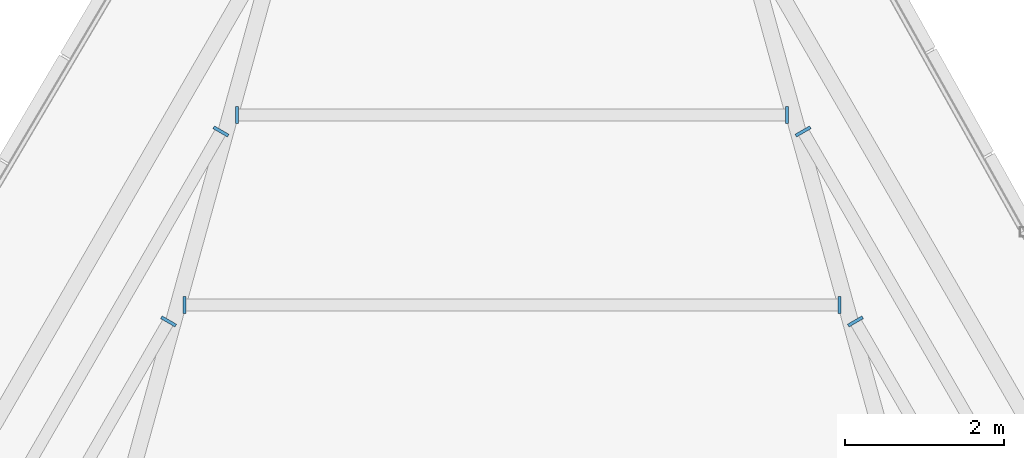
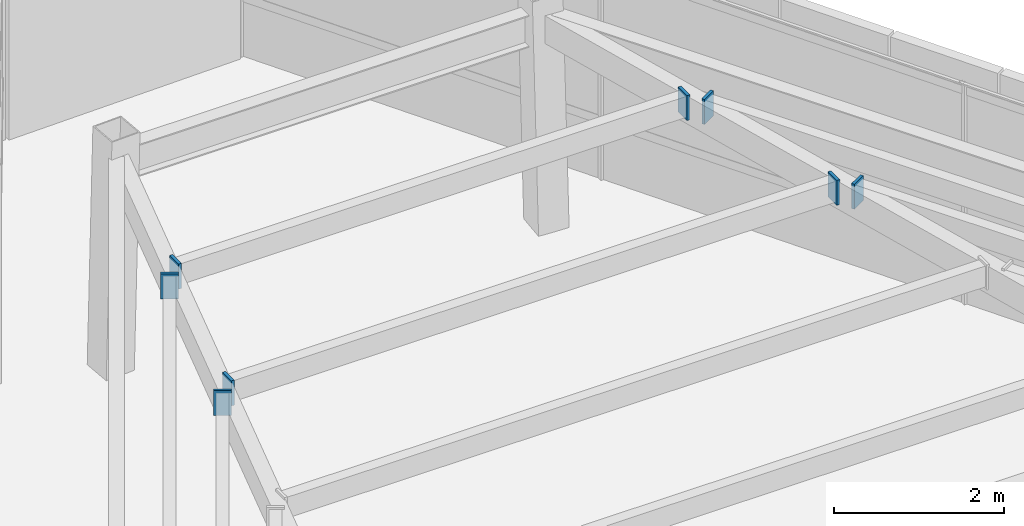
# One storey, part 42 of 47: 8 plates.
"""IFC4 building model written with IfcOpenShell, lengths in metres."""

from ifc_helpers import new_model, si_unit, direction, frame, origin, origin_2d, place, context, subcontext, project, spatial, rectangle, extrude, source, transform, mapped, material, layer, layer_set, type_object, type_shapes, element, save


model = new_model("IFC4")

# Units and contexts
model_context = context("Model", 3, precision=1e-05, world=origin(), true_north=direction((0.0, 1.0)))
body_context = subcontext(model_context, "Body", "Model", "MODEL_VIEW")
ifc_project = project(units=[si_unit("LENGTHUNIT", "METRE"), si_unit("AREAUNIT", "SQUARE_METRE"), si_unit("VOLUMEUNIT", "CUBIC_METRE"), si_unit("PLANEANGLEUNIT", "RADIAN"), si_unit("MASSUNIT", "GRAM", prefix="KILO")], contexts=[model_context])

# Site, building, storey
site_placement = place(None, origin())
site = spatial("IfcSite", under=ifc_project, at=site_placement, CompositionType="ELEMENT")
building_placement = place(site_placement, origin())
building = spatial("IfcBuilding", under=site, at=building_placement, Name="Caelisora Broadcast Tower", CompositionType="ELEMENT")
storey_placement = place(building_placement, frame((0.0, 0.0, 293.199951171875)))
storey = spatial("IfcBuildingStorey", under=building, at=storey_placement, Name="L77", CompositionType="ELEMENT", Elevation=293.199951171875)

# Plates
ifc_material = material(Name="Steel Grade 350 L15 (AS/NZS 3678)", Category="steel")
ifc_layer = layer(ifc_material, 0.0400390625, Name="Steel Grade 350 L15 (AS/NZS 3678)")
ifc_layer_set = layer_set([ifc_layer], Name="Steel Grade 350 L15 (AS/NZS 3678)")
plate_type = type_object("IfcPlateType", Name="GP04", PredefinedType="USERDEFINED", material=ifc_layer_set)
shared_shape = source(origin(), body_context, "Body", "SweptSolid", [
    extrude(rectangle(XDim=0.2099609375, YDim=0.0400390625, at=origin_2d()), origin(), (0.0, 0.0, 1.0), 0.360107421875),
])
type_shapes(plate_type, [shared_shape])
for number, where, z_axis, x_axis, name in (
    (1, (42.123291015625, 41.9609375, 2.81982421875), (0.0, 0.0, 1.0), (0.0, -1.0, 0.0), "L77 gusset plate GP04 (ND-SB-L77-005A)"),
    (2, (33.876708984375, 41.9609375, 2.81982421875), (0.0, 0.0, 1.0), (0.0, -1.0, 0.0), "L77 gusset plate GP04 (ND-SB-L77-005B)"),
    (3, (41.464111328125, 44.353271484375, 2.81982421875), (0.0, 0.0, 1.0), (0.0, -1.0, 0.0), "L77 gusset plate GP04 (ND-SB-L77-006A)"),
    (4, (34.535888671875, 44.353271484375, 2.81982421875), (0.0, 0.0, 1.0), (0.0, -1.0, 0.0), "L77 gusset plate GP04 (ND-SB-L77-006B)"),
    (5, (33.67578125, 41.7529296875, 2.81982421875), (0.0, 0.0, 1.0), (0.866025403784, -0.5, 0.0), "L77 gusset plate GP04 (ND-SB-L77-010A)"),
    (6, (34.3349609375, 44.145263671875, 2.81982421875), (0.0, 0.0, 1.0), (0.866025403784, -0.5, 0.0), "L77 gusset plate GP04 (ND-SB-L77-011A)"),
    (7, (42.32421875, 41.7529296875, 2.81982421875), (0.0, 0.0, 1.0), (-0.866025403784, -0.5, 0.0), "L77 gusset plate GP04 (ND-SB-L77-059B)"),
    (8, (41.6650390625, 44.145263671875, 2.81982421875), (0.0, 0.0, 1.0), (-0.866025403784, -0.5, 0.0), "L77 gusset plate GP04 (ND-SB-L77-060B)"),
):
    element("IfcPlate", number, at=place(storey_placement, frame(where, z_axis=z_axis, x_axis=x_axis)), inside=storey, type_object=plate_type, Name=name, ObjectType="GUSSET PLATE", PredefinedType="USERDEFINED", context=body_context, shape_type="MappedRepresentation", body=[
        mapped(shared_shape, transform((0.0, 0.0, 0.0), scale=1.0)),
    ])

save(model, "model.ifc")
